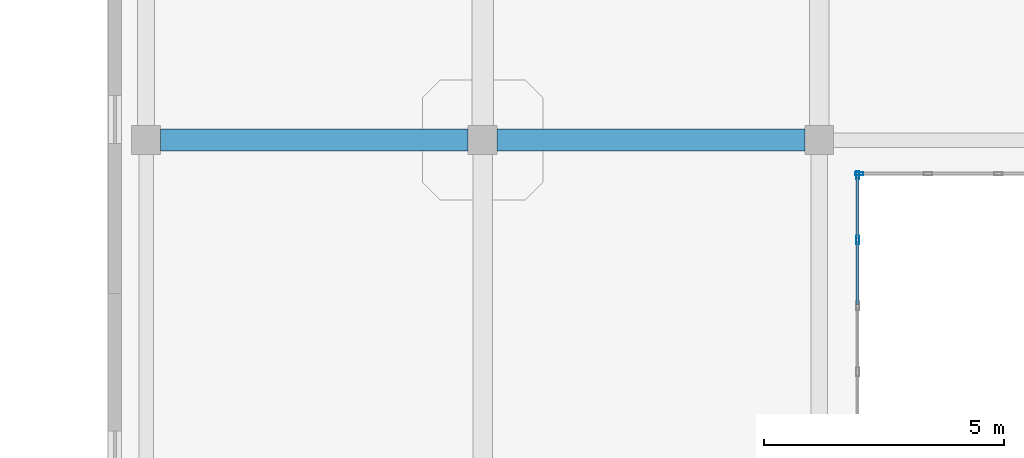
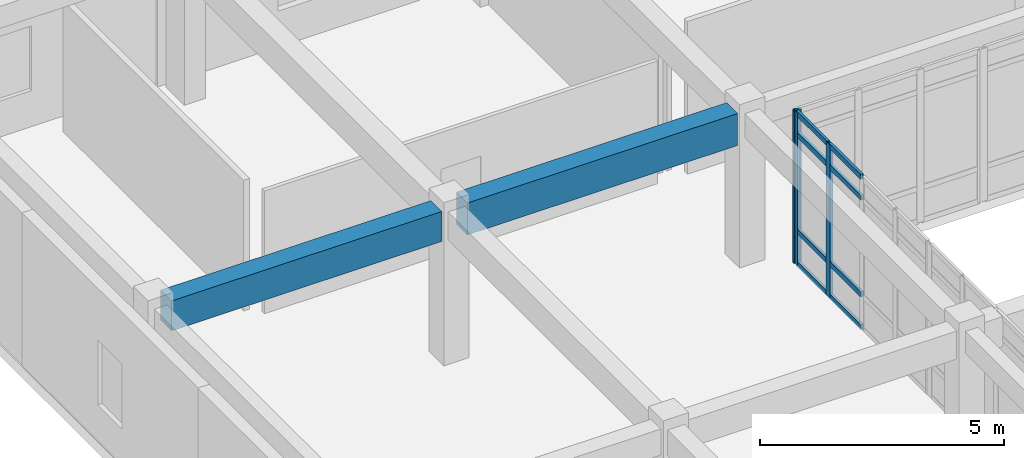
# One storey, part 100 of 146: 11 members, 2 beams, 2 elements without a shape of their own.
"""IFC4 building model written with IfcOpenShell, lengths in metres."""

from ifc_helpers import new_model, si_unit, direction, frame, origin, origin_2d, place, context, subcontext, project, spatial, rectangle, hollow_rectangle, extrude, material, layer, layer_set, material_profile, profile_set, type_object, element, aggregate, save


model = new_model("IFC4")

# Units and contexts
model_context = context("Model", 3, precision=1e-05, world=origin(), true_north=direction((0.0, 1.0)))
body_context = subcontext(model_context, "Body", "Model", "MODEL_VIEW")
ifc_project = project(units=[si_unit("LENGTHUNIT", "METRE"), si_unit("AREAUNIT", "SQUARE_METRE"), si_unit("VOLUMEUNIT", "CUBIC_METRE"), si_unit("PLANEANGLEUNIT", "RADIAN"), si_unit("MASSUNIT", "GRAM", prefix="KILO")], contexts=[model_context])

# Site, building, storey
site_placement = place(None, origin())
site = spatial("IfcSite", under=ifc_project, at=site_placement, CompositionType="ELEMENT")
building_placement = place(site_placement, origin())
building = spatial("IfcBuilding", under=site, at=building_placement, Name="Valcora Specialist Clinic", CompositionType="ELEMENT")
storey_placement = place(building_placement, frame((0.0, 0.0, 9.52001953125)))
storey = spatial("IfcBuildingStorey", under=building, at=storey_placement, Name="L02", CompositionType="ELEMENT", Elevation=9.52001953125)

# Beams
ifc_material_1 = material(Name="Concrete C40/50", Category="concrete")
ifc_material_profile_1 = material_profile(ifc_material_1, rectangle(XDim=0.449951171875, YDim=0.75, at=origin_2d()), Name="RC-BM-450X750")
ifc_profile_set_1 = profile_set([ifc_material_profile_1], Name="Concrete C40/50")
beam_type_1 = type_object("IfcBeamType", Name="TY-BM-RC450X750", PredefinedType="BEAM", material=ifc_profile_set_1)
beam_1_placement = place(storey_placement, frame((62.300048828125, 99.199951171875, 3.445068359375), z_axis=(1.0, 0.0, 0.0), x_axis=(0.0, 1.0, 0.0)))
element("IfcBeam", 1, at=beam_1_placement, inside=storey, type_object=beam_type_1, Name="Beam BM-L02-0719", PredefinedType="BEAM", context=body_context, shape_type="SweptSolid", body=[
    extrude(rectangle(XDim=0.449951171875, YDim=0.75, at=origin_2d()), origin(), (0.0, 0.0, 1.0), 6.39990234375),
])
ifc_material_profile_2 = material_profile(ifc_material_1, rectangle(XDim=0.449951171875, YDim=0.800048828125, at=origin_2d()), Name="RC-BM-450X800")
ifc_profile_set_2 = profile_set([ifc_material_profile_2], Name="Concrete C40/50")
beam_type_2 = type_object("IfcBeamType", Name="TY-BM-RC450X800", PredefinedType="BEAM", material=ifc_profile_set_2)
beam_2_placement = place(storey_placement, frame((69.300048828125, 99.199951171875, 3.419921875), z_axis=(1.0, 0.0, 0.0), x_axis=(0.0, 1.0, 0.0)))
element("IfcBeam", 2, at=beam_2_placement, inside=storey, type_object=beam_type_2, Name="Beam BM-L02-0720", PredefinedType="BEAM", context=body_context, shape_type="SweptSolid", body=[
    extrude(rectangle(XDim=0.449951171875, YDim=0.800048828125, at=origin_2d()), origin(), (0.0, 0.0, 1.0), 6.39990234375),
])

# Curtain wall, member
ifc_material_2 = material(Name="Anodized Bronze Aluminium 6063-T6", Category="aluminium")
ifc_layer = layer(ifc_material_2, 0.175048828125)
ifc_layer_set = layer_set([ifc_layer], Name="Anodized Bronze Aluminium 6063-T6")
curtain_wall_type = type_object("IfcCurtainWallType", Name="TY-CW-CRT15", PredefinedType="NOTDEFINED", material=ifc_layer_set)
curtain_wall_1_placement = place(storey_placement, origin())
curtain_wall_1 = element("IfcCurtainWall", 3, at=curtain_wall_1_placement, inside=storey, type_object=curtain_wall_type, Name="Curtain wall CW-L02-101", PredefinedType="NOTDEFINED")
ifc_material_profile_3 = material_profile(ifc_material_2, hollow_rectangle(XDim=0.06494140625, YDim=0.175048828125, WallThickness=0.00390625, at=origin_2d()), Name="AL-MUL-65X175")
ifc_profile_set_3 = profile_set([ifc_material_profile_3], Name="Anodized Bronze Aluminium 6063-T6")
member_type_1 = type_object("IfcMemberType", Name="TY-CWM-65X175", PredefinedType="MULLION", material=ifc_profile_set_3)
member_1_placement = place(storey_placement, frame((76.83251953125, 98.5, 0.0), z_axis=(0.0, 0.0, 1.0), x_axis=(0.0, -1.0, 0.0)))
member_1 = element("IfcMember", 4, at=member_1_placement, type_object=member_type_1, Name="CW-CRT-15 mullion 4", PredefinedType="MULLION", context=body_context, shape_type="SweptSolid", body=[
    extrude(hollow_rectangle(XDim=0.06494140625, YDim=0.175048828125, WallThickness=0.00390625, at=origin_2d()), origin(), (0.0, 0.0, 1.0), 3.820068359375),
])
aggregate(curtain_wall_1, [member_1])

# Curtain wall, members
curtain_wall_2_placement = place(storey_placement, origin())
curtain_wall_2 = element("IfcCurtainWall", 5, at=curtain_wall_2_placement, inside=storey, type_object=curtain_wall_type, Name="Curtain wall CW-L02-102", PredefinedType="NOTDEFINED")
member_2_placement = place(storey_placement, frame((76.800048828125, 98.467529296875, 0.0), z_axis=(0.0, 0.0, 1.0), x_axis=(1.0, 0.0, 0.0)))
member_2 = element("IfcMember", 6, at=member_2_placement, type_object=member_type_1, Name="CW-CRT-15 mullion 1", PredefinedType="MULLION", context=body_context, shape_type="SweptSolid", body=[
    extrude(hollow_rectangle(XDim=0.06494140625, YDim=0.175048828125, WallThickness=0.00390625, at=origin_2d()), origin(), (0.0, 0.0, 1.0), 3.820068359375),
])
member_3_placement = place(storey_placement, frame((76.800048828125, 97.125, 0.0), z_axis=(0.0, 0.0, 1.0), x_axis=(1.0, 0.0, 0.0)))
member_3 = element("IfcMember", 7, at=member_3_placement, type_object=member_type_1, Name="CW-CRT-15 mullion 2", PredefinedType="MULLION", context=body_context, shape_type="SweptSolid", body=[
    extrude(hollow_rectangle(XDim=0.06494140625, YDim=0.175048828125, WallThickness=0.00390625, at=origin_2d()), origin(), (0.0, 0.0, 1.0), 3.820068359375),
])
ifc_material_profile_4 = material_profile(ifc_material_2, hollow_rectangle(XDim=0.06494140625, YDim=0.1298828125, WallThickness=0.00390625, at=origin_2d()), Name="AL-TRN-65X130")
ifc_profile_set_4 = profile_set([ifc_material_profile_4], Name="Anodized Bronze Aluminium 6063-T6")
member_type_2 = type_object("IfcMemberType", Name="TY-CWT-65X130", PredefinedType="USERDEFINED", material=ifc_profile_set_4)
member_4_placement = place(storey_placement, frame((76.800048828125, 98.43505859375, 0.032470703125), z_axis=(0.0, -1.0, 0.0), x_axis=(1.0, 0.0, 0.0)))
member_4 = element("IfcMember", 8, at=member_4_placement, type_object=member_type_2, Name="CW-CRT-15 transom 1.1", ObjectType="TRANSOM", PredefinedType="USERDEFINED", context=body_context, shape_type="SweptSolid", body=[
    extrude(hollow_rectangle(XDim=0.06494140625, YDim=0.1298828125, WallThickness=0.00390625, at=origin_2d()), origin(), (0.0, 0.0, 1.0), 1.277587890625),
])
member_5_placement = place(storey_placement, frame((76.800048828125, 98.43505859375, 0.85009765625), z_axis=(0.0, -1.0, 0.0), x_axis=(1.0, 0.0, 0.0)))
member_5 = element("IfcMember", 9, at=member_5_placement, type_object=member_type_2, Name="CW-CRT-15 transom 1.2", ObjectType="TRANSOM", PredefinedType="USERDEFINED", context=body_context, shape_type="SweptSolid", body=[
    extrude(hollow_rectangle(XDim=0.06494140625, YDim=0.1298828125, WallThickness=0.00390625, at=origin_2d()), origin(), (0.0, 0.0, 1.0), 1.277587890625),
])
member_6_placement = place(storey_placement, frame((76.800048828125, 98.43505859375, 3.27001953125), z_axis=(0.0, -1.0, 0.0), x_axis=(1.0, 0.0, 0.0)))
member_6 = element("IfcMember", 10, at=member_6_placement, type_object=member_type_2, Name="CW-CRT-15 transom 1.3", ObjectType="TRANSOM", PredefinedType="USERDEFINED", context=body_context, shape_type="SweptSolid", body=[
    extrude(hollow_rectangle(XDim=0.06494140625, YDim=0.1298828125, WallThickness=0.00390625, at=origin_2d()), origin(), (0.0, 0.0, 1.0), 1.277587890625),
])
member_7_placement = place(storey_placement, frame((76.800048828125, 98.43505859375, 3.78759765625), z_axis=(0.0, -1.0, 0.0), x_axis=(1.0, 0.0, 0.0)))
member_7 = element("IfcMember", 11, at=member_7_placement, type_object=member_type_2, Name="CW-CRT-15 transom 1.4", ObjectType="TRANSOM", PredefinedType="USERDEFINED", context=body_context, shape_type="SweptSolid", body=[
    extrude(hollow_rectangle(XDim=0.06494140625, YDim=0.1298828125, WallThickness=0.00390625, at=origin_2d()), origin(), (0.0, 0.0, 1.0), 1.277587890625),
])
member_8_placement = place(storey_placement, frame((76.800048828125, 97.092529296875, 0.032470703125), z_axis=(0.0, -1.0, 0.0), x_axis=(1.0, 0.0, 0.0)))
member_8 = element("IfcMember", 12, at=member_8_placement, type_object=member_type_2, Name="CW-CRT-15 transom 2.1", ObjectType="TRANSOM", PredefinedType="USERDEFINED", context=body_context, shape_type="SweptSolid", body=[
    extrude(hollow_rectangle(XDim=0.06494140625, YDim=0.1298828125, WallThickness=0.00390625, at=origin_2d()), origin(), (0.0, 0.0, 1.0), 1.31005859375),
])
member_9_placement = place(storey_placement, frame((76.800048828125, 97.092529296875, 0.85009765625), z_axis=(0.0, -1.0, 0.0), x_axis=(1.0, 0.0, 0.0)))
member_9 = element("IfcMember", 13, at=member_9_placement, type_object=member_type_2, Name="CW-CRT-15 transom 2.2", ObjectType="TRANSOM", PredefinedType="USERDEFINED", context=body_context, shape_type="SweptSolid", body=[
    extrude(hollow_rectangle(XDim=0.06494140625, YDim=0.1298828125, WallThickness=0.00390625, at=origin_2d()), origin(), (0.0, 0.0, 1.0), 1.31005859375),
])
member_10_placement = place(storey_placement, frame((76.800048828125, 97.092529296875, 3.27001953125), z_axis=(0.0, -1.0, 0.0), x_axis=(1.0, 0.0, 0.0)))
member_10 = element("IfcMember", 14, at=member_10_placement, type_object=member_type_2, Name="CW-CRT-15 transom 2.3", ObjectType="TRANSOM", PredefinedType="USERDEFINED", context=body_context, shape_type="SweptSolid", body=[
    extrude(hollow_rectangle(XDim=0.06494140625, YDim=0.1298828125, WallThickness=0.00390625, at=origin_2d()), origin(), (0.0, 0.0, 1.0), 1.31005859375),
])
member_11_placement = place(storey_placement, frame((76.800048828125, 97.092529296875, 3.78759765625), z_axis=(0.0, -1.0, 0.0), x_axis=(1.0, 0.0, 0.0)))
member_11 = element("IfcMember", 15, at=member_11_placement, type_object=member_type_2, Name="CW-CRT-15 transom 2.4", ObjectType="TRANSOM", PredefinedType="USERDEFINED", context=body_context, shape_type="SweptSolid", body=[
    extrude(hollow_rectangle(XDim=0.06494140625, YDim=0.1298828125, WallThickness=0.00390625, at=origin_2d()), origin(), (0.0, 0.0, 1.0), 1.31005859375),
])
aggregate(curtain_wall_2, [member_2, member_3, member_4, member_5, member_6, member_7, member_8, member_9, member_10, member_11])

save(model, "model.ifc")
